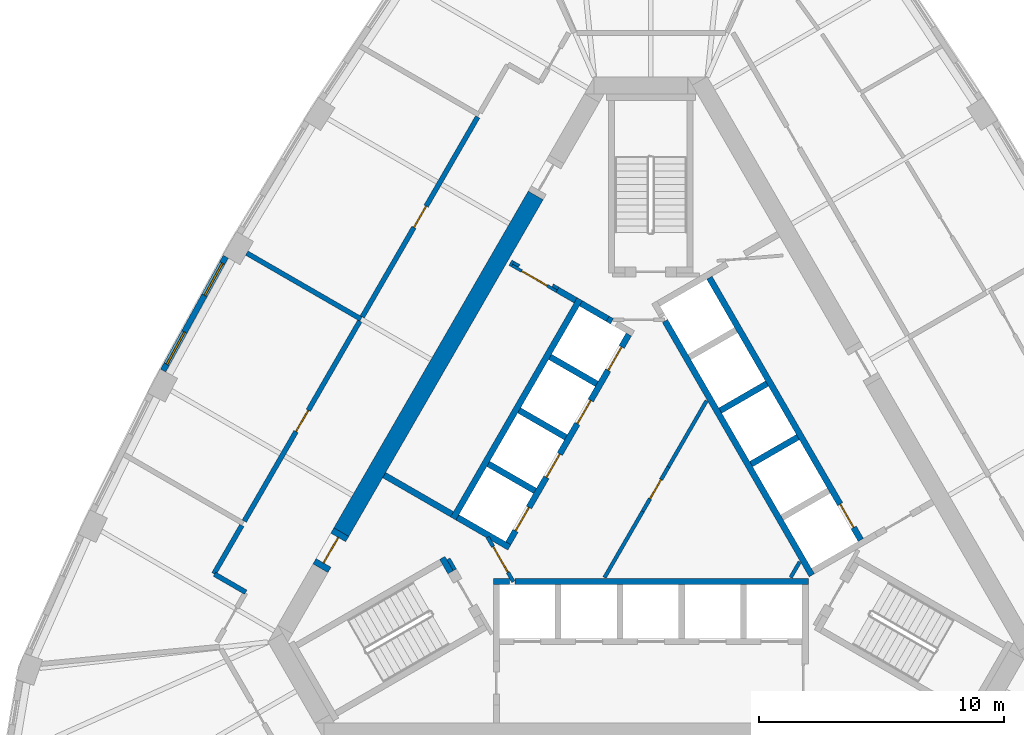
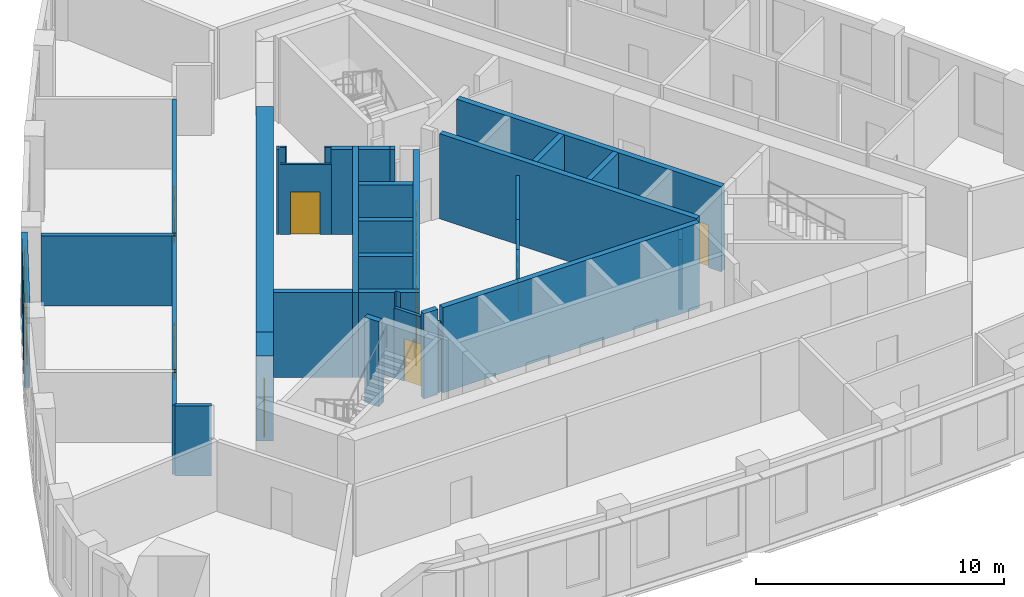
# One storey, part 4 of 10: 35 walls, 11 doors, 2 windows, 13 openings.
"""IFC4 building model written with IfcOpenShell, lengths in metres."""

from ifc_helpers import new_model, si_unit, direction, frame, frame_2d, origin, place, context, subcontext, project, spatial, polyline, rectangle, outline, extrude, material, layer, layer_set, type_object, element, fill, save


model = new_model("IFC4")

# Units and contexts
model_context = context("Model", 3, precision=1e-05, world=origin(), true_north=direction((0.0, 1.0)))
body_context = subcontext(model_context, "Body", "Model", "MODEL_VIEW")
ifc_project = project(units=[si_unit("LENGTHUNIT", "METRE"), si_unit("AREAUNIT", "SQUARE_METRE"), si_unit("VOLUMEUNIT", "CUBIC_METRE"), si_unit("PLANEANGLEUNIT", "RADIAN"), si_unit("MASSUNIT", "GRAM", prefix="KILO")], contexts=[model_context])

# Site, building, storey
site_placement = place(None, origin())
site = spatial("IfcSite", under=ifc_project, at=site_placement, CompositionType="ELEMENT")
building_placement = place(site_placement, origin())
building = spatial("IfcBuilding", under=site, at=building_placement, Name="Mestral Congress Tower", CompositionType="ELEMENT")
storey_placement = place(building_placement, frame((0.0, 0.0, 235.199951171875)))
storey = spatial("IfcBuildingStorey", under=building, at=storey_placement, Name="L55", CompositionType="ELEMENT", Elevation=235.199951171875)

# Walls
ifc_material_1 = material(Name="Fire-rated board partition")
ifc_layer_1 = layer(ifc_material_1, 0.14990234375)
ifc_layer_set_1 = layer_set([ifc_layer_1], Name="Fire-rated board partition")
wall_type_1 = type_object("IfcWallType", Name="Core partition 150", PredefinedType="PARTITIONING", material=ifc_layer_set_1)
wall_1_placement = place(storey_placement, frame((-8.251953125, -2.958251953125, 0.0), z_axis=(0.0, 0.0, 1.0), x_axis=(0.500174715838, -0.865924508047, 0.0)))
element("IfcWall", 1, at=wall_1_placement, inside=storey, type_object=wall_type_1, Name="L55 core wall", PredefinedType="PARTITIONING", context=body_context, shape_type="SweptSolid", body=[
    extrude(rectangle(XDim=0.513916015625, YDim=0.14990234375, at=frame_2d((0.2568359375, 0.0))), origin(), (0.0, 0.0, 1.0), 3.449951171875),
])
wall_2_placement = place(storey_placement, frame((5.704833984375, -3.718017578125, 0.0), z_axis=(0.0, 0.0, 1.0), x_axis=(0.499962090823, 0.866047289552, 0.0)))
element("IfcWall", 2, at=wall_2_placement, inside=storey, type_object=wall_type_1, Name="L55 core wall", PredefinedType="PARTITIONING", context=body_context, shape_type="SweptSolid", body=[
    extrude(rectangle(XDim=0.73486328125, YDim=0.14990234375, at=frame_2d((0.367431640625, 0.0))), origin(), (0.0, 0.0, 1.0), 3.449951171875),
])
wall_3_placement = place(storey_placement, frame((-1.886962890625, -3.71826171875, 0.0), z_axis=(0.0, 0.0, 1.0), x_axis=(0.500043732237, 0.866000153493, 0.0)))
element("IfcWall", 3, at=wall_3_placement, inside=storey, type_object=wall_type_1, Name="L55 core wall", PredefinedType="PARTITIONING", context=body_context, shape_type="SweptSolid", body=[
    extrude(rectangle(XDim=3.113525390625, YDim=0.14990234375, at=frame_2d((1.556640625, 0.0))), origin(), (0.0, 0.0, 1.0), 3.449951171875),
])
wall_4_placement = place(storey_placement, frame((0.719970703125, 0.796875, 0.0), z_axis=(0.0, 0.0, 1.0), x_axis=(0.499984921984, 0.866034108906, 0.0)))
element("IfcWall", 4, at=wall_4_placement, inside=storey, type_object=wall_type_1, Name="L55 core wall", PredefinedType="PARTITIONING", context=body_context, shape_type="SweptSolid", body=[
    extrude(rectangle(XDim=3.11328125, YDim=0.14990234375, at=frame_2d((1.556640625, 0.0))), origin(), (0.0, 0.0, 1.0), 3.449951171875),
])

# Wall, opening, door
wall_5_placement = place(storey_placement, frame((-0.330078125, -1.021728515625, 0.0), z_axis=(0.0, 0.0, 1.0), x_axis=(0.500027713859, 0.866009402589, 0.0)))
wall_5 = element("IfcWall", 5, at=wall_5_placement, inside=storey, type_object=wall_type_1, Name="L55 door wall", PredefinedType="PARTITIONING", context=body_context, shape_type="SweptSolid", body=[
    extrude(rectangle(XDim=2.10009765625, YDim=0.14990234375, at=frame_2d((1.050048828125, 0.0))), origin(), (0.0, 0.0, 1.0), 3.449951171875),
])
opening_1_placement = place(wall_5_placement, frame((0.60009765625, 0.0, 0.0)))
opening_1 = element("IfcOpeningElement", 6, at=opening_1_placement, cuts=wall_5, Name="Opening CD1-HUB0", PredefinedType="OPENING", context=body_context, shape_type="SweptSolid", body=[
    extrude(rectangle(XDim=0.89990234375, YDim=2.10009765625, at=frame_2d((0.449951171875, 1.050048828125))), frame((0.0, 0.0849609375, 0.0), z_axis=(0.0, -1.0, 0.0), x_axis=(1.0, 0.0, 0.0)), (0.0, 0.0, 1.0), 0.169921875),
])
ifc_material_2 = material(Name="Fire-rated steel door set", Category="steel")
door_type_1 = type_object("IfcDoorType", Name="Core door CD 900x2100", OperationType="SINGLE_SWING_LEFT", PredefinedType="DOOR", material=ifc_material_2)
door_1_placement = place(opening_1_placement, origin())
door_1 = element("IfcDoor", 7, at=door_1_placement, inside=storey, type_object=door_type_1, Name="Door CD1-HUB0", OperationType="SINGLE_SWING_LEFT", OverallHeight=2.10009765625, OverallWidth=0.89990234375, PredefinedType="DOOR", context=body_context, shape_type="SweptSolid", body=[
    extrude(rectangle(XDim=0.89990234375, YDim=2.10009765625, at=frame_2d((0.449951171875, 1.050048828125))), frame((0.0, 0.02490234375, 0.0), z_axis=(0.0, -1.0, 0.0), x_axis=(1.0, 0.0, 0.0)), (0.0, 0.0, 1.0), 0.050048828125),
])
fill(opening_1, door_1)

wall_6_placement = place(storey_placement, frame((-5.606201171875, -3.8896484375, 0.0), z_axis=(0.0, 0.0, 1.0), x_axis=(-0.500027713859, 0.866009402589, 0.0)))
wall_6 = element("IfcWall", 8, at=wall_6_placement, inside=storey, type_object=wall_type_1, Name="L55 door wall", PredefinedType="PARTITIONING", context=body_context, shape_type="SweptSolid", body=[
    extrude(rectangle(XDim=2.10009765625, YDim=0.14990234375, at=frame_2d((1.050048828125, 0.0))), origin(), (0.0, 0.0, 1.0), 3.449951171875),
])
opening_2_placement = place(wall_6_placement, frame((0.449951171875, 0.0, 0.0)))
opening_2 = element("IfcOpeningElement", 9, at=opening_2_placement, cuts=wall_6, Name="Opening CD3-FF", PredefinedType="OPENING", context=body_context, shape_type="SweptSolid", body=[
    extrude(rectangle(XDim=1.199951171875, YDim=2.10009765625, at=frame_2d((0.60009765625, 1.050048828125))), frame((0.0, 0.0849609375, 0.0), z_axis=(0.0, -1.0, 0.0), x_axis=(1.0, 0.0, 0.0)), (0.0, 0.0, 1.0), 0.169921875),
])
door_type_2 = type_object("IfcDoorType", Name="Core door CD 1200x2100", OperationType="SINGLE_SWING_LEFT", PredefinedType="DOOR", material=ifc_material_2)
door_2_placement = place(opening_2_placement, origin())
door_2 = element("IfcDoor", 10, at=door_2_placement, inside=storey, type_object=door_type_2, Name="Door CD3-FF", OperationType="SINGLE_SWING_LEFT", OverallHeight=2.10009765625, OverallWidth=1.199951171875, PredefinedType="DOOR", context=body_context, shape_type="SweptSolid", body=[
    extrude(rectangle(XDim=1.199951171875, YDim=2.10009765625, at=frame_2d((0.60009765625, 1.050048828125))), frame((0.0, 0.02490234375, 0.0), z_axis=(0.0, -1.0, 0.0), x_axis=(1.0, 0.0, 0.0)), (0.0, 0.0, 1.0), 0.050048828125),
])
fill(opening_2, door_2)

ifc_layer_2 = layer(ifc_material_1, 0.1201171875)
ifc_layer_set_2 = layer_set([ifc_layer_2], Name="Fire-rated board partition")
wall_type_2 = type_object("IfcWallType", Name="Core partition 150 door-wall 120", PredefinedType="PARTITIONING", material=ifc_layer_set_2)
wall_7_placement = place(storey_placement, frame((-5.65869140625, 9.01171875, 0.0), z_axis=(0.0, 0.0, 1.0), x_axis=(0.866009402589, -0.500027713859, 0.0)))
wall_7 = element("IfcWall", 11, at=wall_7_placement, inside=storey, type_object=wall_type_2, Name="L55 door wall", PredefinedType="PARTITIONING", context=body_context, shape_type="SweptSolid", body=[
    extrude(rectangle(XDim=2.10009765625, YDim=0.1201171875, at=frame_2d((1.050048828125, 0.0))), origin(), (0.0, 0.0, 1.0), 3.449951171875),
])
opening_3_placement = place(wall_7_placement, frame((0.449951171875, 0.0, 0.0)))
opening_3 = element("IfcOpeningElement", 12, at=opening_3_placement, cuts=wall_7, Name="Opening LB2-WL2", PredefinedType="OPENING", context=body_context, shape_type="SweptSolid", body=[
    extrude(rectangle(XDim=1.199951171875, YDim=2.10009765625, at=frame_2d((0.60009765625, 1.050048828125))), frame((0.0, 0.070068359375, 0.0), z_axis=(0.0, -1.0, 0.0), x_axis=(1.0, 0.0, 0.0)), (0.0, 0.0, 1.0), 0.14013671875),
])
door_type_3 = type_object("IfcDoorType", Name="Core door LB 1200x2100", OperationType="SINGLE_SWING_LEFT", PredefinedType="DOOR", material=ifc_material_2)
door_3_placement = place(opening_3_placement, origin())
door_3 = element("IfcDoor", 13, at=door_3_placement, inside=storey, type_object=door_type_3, Name="Door LB2-WL2", OperationType="SINGLE_SWING_LEFT", OverallHeight=2.10009765625, OverallWidth=1.199951171875, PredefinedType="DOOR", context=body_context, shape_type="SweptSolid", body=[
    extrude(rectangle(XDim=1.199951171875, YDim=2.10009765625, at=frame_2d((0.60009765625, 1.050048828125))), frame((0.0, 0.02490234375, 0.0), z_axis=(0.0, -1.0, 0.0), x_axis=(1.0, 0.0, 0.0)), (0.0, 0.0, 1.0), 0.050048828125),
])
fill(opening_3, door_3)

# Wall
ifc_material_3 = material(Name="Concrete C60/75", Category="concrete")
ifc_layer_3 = layer(ifc_material_3, 0.699951171875)
ifc_layer_set_3 = layer_set([ifc_layer_3], Name="Concrete C60/75")
wall_type_3 = type_object("IfcWallType", Name="Core wall RC 700", PredefinedType="SOLIDWALL", material=ifc_layer_set_3)
wall_8_placement = place(storey_placement, frame((-12.625, -1.866943359375, 0.0), z_axis=(0.0, 0.0, 1.0), x_axis=(0.500008520515, 0.866020484407, 0.0)))
element("IfcWall", 14, at=wall_8_placement, inside=storey, type_object=wall_type_3, Name="L55 core wall", PredefinedType="SOLIDWALL", context=body_context, shape_type="SweptSolid", body=[
    extrude(rectangle(XDim=15.858642578125, YDim=0.699951171875, at=frame_2d((7.92919921875, 0.0))), origin(), (0.0, 0.0, 1.0), 4.199951171875),
])

# Wall, opening, door
wall_9_placement = place(storey_placement, frame((-13.474853515625, -3.339111328125, 0.0), z_axis=(0.0, 0.0, 1.0), x_axis=(0.499954529098, 0.86605165483, 0.0)))
wall_9 = element("IfcWall", 15, at=wall_9_placement, inside=storey, type_object=wall_type_3, Name="L55 door wall", PredefinedType="SOLIDWALL", context=body_context, shape_type="SweptSolid", body=[
    extrude(rectangle(XDim=1.699951171875, YDim=0.699951171875, at=frame_2d((0.85009765625, 0.0))), origin(), (0.0, 0.0, 1.0), 4.199951171875),
])
opening_4_placement = place(wall_9_placement, frame((0.25, 0.0, 0.0)))
opening_4 = element("IfcOpeningElement", 16, at=opening_4_placement, cuts=wall_9, Name="Opening XD3", PredefinedType="OPENING", context=body_context, shape_type="SweptSolid", body=[
    extrude(rectangle(XDim=1.199951171875, YDim=2.10009765625, at=frame_2d((0.60009765625, 1.050048828125))), frame((0.0, 0.35986328125, 0.0), z_axis=(0.0, -1.0, 0.0), x_axis=(1.0, 0.0, 0.0)), (0.0, 0.0, 1.0), 0.719970703125),
])
door_type_4 = type_object("IfcDoorType", Name="Core door XD 1200x2100", OperationType="SINGLE_SWING_LEFT", PredefinedType="DOOR", material=ifc_material_2)
door_4_placement = place(opening_4_placement, origin())
door_4 = element("IfcDoor", 17, at=door_4_placement, inside=storey, type_object=door_type_4, Name="Door XD3", OperationType="SINGLE_SWING_LEFT", OverallHeight=2.10009765625, OverallWidth=1.199951171875, PredefinedType="DOOR", context=body_context, shape_type="SweptSolid", body=[
    extrude(rectangle(XDim=1.199951171875, YDim=2.10009765625, at=frame_2d((0.60009765625, 1.050048828125))), frame((0.0, 0.02490234375, 0.0), z_axis=(0.0, -1.0, 0.0), x_axis=(1.0, 0.0, 0.0)), (0.0, 0.0, 1.0), 0.050048828125),
])
fill(opening_4, door_4)

# Wall, openings, windows
ifc_material_4 = material(Name="Precast concrete C40/50 with limestone facing", Category="masonry")
ifc_layer_4 = layer(ifc_material_4, 0.239990234375)
ifc_layer_set_4 = layer_set([ifc_layer_4], Name="Precast concrete C40/50 with limestone facing")
wall_type_4 = type_object("IfcWallType", Name="Facade stone wall 240", PredefinedType="SOLIDWALL", material=ifc_layer_set_4)
wall_10_placement = place(storey_placement, frame((-17.338134765625, 9.367919921875, 0.0), z_axis=(0.0, 0.0, 1.0), x_axis=(-0.481925825015, -0.876212017256, 0.0)))
wall_10 = element("IfcWall", 18, at=wall_10_placement, inside=storey, type_object=wall_type_4, Name="Facade wall F2-03", PredefinedType="SOLIDWALL", context=body_context, shape_type="SweptSolid", body=[
    extrude(rectangle(XDim=5.298583984375, YDim=0.239990234375, at=frame_2d((2.6494140625, 0.0))), origin(), (0.0, 0.0, 1.0), 3.949951171875),
])
opening_5_placement = place(wall_10_placement, frame((0.294677734375, 0.0, 0.89990234375)))
opening_5 = element("IfcOpeningElement", 19, at=opening_5_placement, cuts=wall_10, Name="Opening W4", PredefinedType="OPENING", context=body_context, shape_type="SweptSolid", body=[
    extrude(rectangle(XDim=1.5, YDim=2.550048828125, at=frame_2d((0.75, 1.27490234375))), frame((0.0, 0.1298828125, 0.0), z_axis=(0.0, -1.0, 0.0), x_axis=(1.0, 0.0, 0.0)), (0.0, 0.0, 1.0), 0.260009765625),
])
opening_6_placement = place(wall_10_placement, frame((3.503662109375, 0.0, 0.89990234375)))
opening_6 = element("IfcOpeningElement", 20, at=opening_6_placement, cuts=wall_10, Name="Opening W4", PredefinedType="OPENING", context=body_context, shape_type="SweptSolid", body=[
    extrude(rectangle(XDim=1.5, YDim=2.550048828125, at=frame_2d((0.75, 1.27490234375))), frame((0.0, 0.1298828125, 0.0), z_axis=(0.0, -1.0, 0.0), x_axis=(1.0, 0.0, 0.0)), (0.0, 0.0, 1.0), 0.260009765625),
])
ifc_material_5 = material(Name="Clear low-emissivity double glazing", Category="glass")
window_type = type_object("IfcWindowType", Name="Facade punched window 1500 x 2550 sill 900", PartitioningType="SINGLE_PANEL", PredefinedType="WINDOW", material=ifc_material_5)
window_1_placement = place(opening_5_placement, origin())
window_1 = element("IfcWindow", 21, at=window_1_placement, inside=storey, type_object=window_type, Name="Window F2-03a", OverallHeight=2.550048828125, OverallWidth=1.5, PartitioningType="SINGLE_PANEL", PredefinedType="WINDOW", context=body_context, shape_type="SweptSolid", body=[
    extrude(rectangle(XDim=1.5, YDim=2.550048828125, at=frame_2d((0.75, 1.27490234375))), frame((0.0, 0.0400390625, 0.0), z_axis=(0.0, -1.0, 0.0), x_axis=(1.0, 0.0, 0.0)), (0.0, 0.0, 1.0), 0.06005859375),
])
fill(opening_5, window_1)
window_2_placement = place(opening_6_placement, origin())
window_2 = element("IfcWindow", 22, at=window_2_placement, inside=storey, type_object=window_type, Name="Window F2-03b", OverallHeight=2.550048828125, OverallWidth=1.5, PartitioningType="SINGLE_PANEL", PredefinedType="WINDOW", context=body_context, shape_type="SweptSolid", body=[
    extrude(rectangle(XDim=1.5, YDim=2.550048828125, at=frame_2d((0.75, 1.27490234375))), frame((0.0, 0.0400390625, 0.0), z_axis=(0.0, -1.0, 0.0), x_axis=(1.0, 0.0, 0.0)), (0.0, 0.0, 1.0), 0.06005859375),
])
fill(opening_6, window_2)

# Wall
ifc_material_6 = material(Name="Dense masonry wall, plastered", Category="masonry")
ifc_layer_5 = layer(ifc_material_6, 0.199951171875)
ifc_layer_set_5 = layer_set([ifc_layer_5], Name="Dense masonry wall, plastered")
wall_type_5 = type_object("IfcWallType", Name="Office tenancy wall 200", PredefinedType="PARTITIONING", material=ifc_layer_set_5)
wall_11_placement = place(storey_placement, frame((-11.8212890625, 6.824951171875, 0.0), z_axis=(0.0, 0.0, 1.0), x_axis=(-0.866011792348, 0.500023574959, 0.0)))
element("IfcWall", 23, at=wall_11_placement, inside=storey, type_object=wall_type_5, Name="Tenancy wall", PredefinedType="PARTITIONING", context=body_context, shape_type="SweptSolid", body=[
    extrude(rectangle(XDim=5.380615234375, YDim=0.199951171875, at=frame_2d((2.6904296875, 0.0))), origin(), (0.0, 0.0, 1.0), 3.449951171875),
])

# Wall, opening, door
wall_12_placement = place(storey_placement, frame((-7.061279296875, 15.0693359375, 0.0), z_axis=(0.0, 0.0, 1.0), x_axis=(-0.500008127286, -0.866020711443, 0.0)))
wall_12 = element("IfcWall", 24, at=wall_12_placement, inside=storey, type_object=wall_type_5, Name="Tenancy wall", PredefinedType="PARTITIONING", context=body_context, shape_type="SweptSolid", body=[
    extrude(rectangle(XDim=9.419677734375, YDim=0.199951171875, at=frame_2d((4.7099609375, 0.0))), origin(), (0.0, 0.0, 1.0), 3.449951171875),
])
opening_7_placement = place(wall_12_placement, frame((4.199951171875, 0.0, 0.0)))
opening_7 = element("IfcOpeningElement", 25, at=opening_7_placement, cuts=wall_12, Name="Opening O08-002", PredefinedType="OPENING", context=body_context, shape_type="SweptSolid", body=[
    extrude(rectangle(XDim=1.0, YDim=2.10009765625, at=frame_2d((0.5, 1.050048828125))), frame((0.0, 0.10986328125, 0.0), z_axis=(0.0, -1.0, 0.0), x_axis=(1.0, 0.0, 0.0)), (0.0, 0.0, 1.0), 0.219970703125),
])
ifc_material_7 = material(Name="Fire-rated timber door set", Category="wood")
door_type_5 = type_object("IfcDoorType", Name="Office tenancy entrance door 1000x2100", OperationType="SINGLE_SWING_LEFT", PredefinedType="DOOR", material=ifc_material_7)
door_5_placement = place(opening_7_placement, origin())
door_5 = element("IfcDoor", 26, at=door_5_placement, inside=storey, type_object=door_type_5, Name="Door O08-002", OperationType="SINGLE_SWING_LEFT", OverallHeight=2.10009765625, OverallWidth=1.0, PredefinedType="DOOR", context=body_context, shape_type="SweptSolid", body=[
    extrude(rectangle(XDim=1.0, YDim=2.10009765625, at=frame_2d((0.5, 1.050048828125))), frame((0.0, 0.02490234375, 0.0), z_axis=(0.0, -1.0, 0.0), x_axis=(1.0, 0.0, 0.0)), (0.0, 0.0, 1.0), 0.050048828125),
])
fill(opening_7, door_5)

wall_13_placement = place(storey_placement, frame((-11.87109375, 6.73828125, 0.0), z_axis=(0.0, 0.0, 1.0), x_axis=(-0.500019350398, -0.866014231539, 0.0)))
wall_13 = element("IfcWall", 27, at=wall_13_placement, inside=storey, type_object=wall_type_5, Name="Tenancy wall", PredefinedType="PARTITIONING", context=body_context, shape_type="SweptSolid", body=[
    extrude(rectangle(XDim=9.419677734375, YDim=0.199951171875, at=frame_2d((4.7099609375, 0.0))), origin(), (0.0, 0.0, 1.0), 3.449951171875),
])
opening_8_placement = place(wall_13_placement, frame((4.199951171875, 0.0, 0.0)))
opening_8 = element("IfcOpeningElement", 28, at=opening_8_placement, cuts=wall_13, Name="Opening O08-003", PredefinedType="OPENING", context=body_context, shape_type="SweptSolid", body=[
    extrude(rectangle(XDim=1.0, YDim=2.10009765625, at=frame_2d((0.5, 1.050048828125))), frame((0.0, 0.10986328125, 0.0), z_axis=(0.0, -1.0, 0.0), x_axis=(1.0, 0.0, 0.0)), (0.0, 0.0, 1.0), 0.219970703125),
])
door_6_placement = place(opening_8_placement, origin())
door_6 = element("IfcDoor", 29, at=door_6_placement, inside=storey, type_object=door_type_5, Name="Door O08-003", OperationType="SINGLE_SWING_LEFT", OverallHeight=2.10009765625, OverallWidth=1.0, PredefinedType="DOOR", context=body_context, shape_type="SweptSolid", body=[
    extrude(rectangle(XDim=1.0, YDim=2.10009765625, at=frame_2d((0.5, 1.050048828125))), frame((0.0, 0.02490234375, 0.0), z_axis=(0.0, -1.0, 0.0), x_axis=(1.0, 0.0, 0.0)), (0.0, 0.0, 1.0), 0.050048828125),
])
fill(opening_8, door_6)

# Walls
wall_14_placement = place(storey_placement, frame((-16.68115234375, -1.592529296875, 0.0), z_axis=(0.0, 0.0, 1.0), x_axis=(-0.499985038317, -0.866034041744, 0.0)))
element("IfcWall", 30, at=wall_14_placement, inside=storey, type_object=wall_type_5, Name="Tenancy wall", PredefinedType="PARTITIONING", context=body_context, shape_type="SweptSolid", body=[
    extrude(rectangle(XDim=2.2802734375, YDim=0.199951171875, at=frame_2d((1.14013671875, 0.0))), origin(), (0.0, 0.0, 1.0), 3.449951171875),
])
wall_15_placement = place(storey_placement, frame((-17.79541015625, -3.582275390625, 0.0), z_axis=(0.0, 0.0, 1.0), x_axis=(0.866016893711, -0.50001473959, 0.0)))
element("IfcWall", 31, at=wall_15_placement, inside=storey, type_object=wall_type_5, Name="Tenancy wall", PredefinedType="PARTITIONING", context=body_context, shape_type="SweptSolid", body=[
    extrude(rectangle(XDim=1.47021484375, YDim=0.199951171875, at=frame_2d((0.735107421875, 0.0))), origin(), (0.0, 0.0, 1.0), 3.449951171875),
])
ifc_layer_6 = layer(ifc_material_3, 0.25)
ifc_layer_set_6 = layer_set([ifc_layer_6], Name="Concrete C60/75")
wall_type_6 = type_object("IfcWallType", Name="Shaft wall RC 250", PredefinedType="SOLIDWALL", material=ifc_layer_set_6)
wall_16_placement = place(storey_placement, frame((-5.544921875, -3.875, 0.0), z_axis=(0.0, 0.0, 1.0), x_axis=(1.0, 0.0, 0.0)))
element("IfcWall", 32, at=wall_16_placement, inside=storey, type_object=wall_type_6, Name="L55 core wall", PredefinedType="SOLIDWALL", context=body_context, shape_type="SweptSolid", body=[
    extrude(rectangle(XDim=11.969970703125, YDim=0.25, at=frame_2d((5.98486328125, 0.0))), origin(), (0.0, 0.0, 1.0), 4.199951171875),
])
wall_17_placement = place(storey_placement, frame((-6.425048828125, -3.875, 0.0), z_axis=(0.0, 0.0, 1.0), x_axis=(1.0, 0.0, 0.0)))
element("IfcWall", 33, at=wall_17_placement, inside=storey, type_object=wall_type_6, Name="L55 core wall", PredefinedType="SOLIDWALL", context=body_context, shape_type="SweptSolid", body=[
    extrude(rectangle(XDim=0.657958984375, YDim=0.25, at=frame_2d((0.3291015625, 0.0))), origin(), (0.0, 0.0, 1.0), 4.199951171875),
])
wall_18_placement = place(storey_placement, frame((6.568359375, -3.626708984375, 0.0), z_axis=(0.0, 0.0, 1.0), x_axis=(-0.499999455981, 0.866025717874, 0.0)))
element("IfcWall", 34, at=wall_18_placement, inside=storey, type_object=wall_type_6, Name="L55 core wall", PredefinedType="SOLIDWALL", context=body_context, shape_type="SweptSolid", body=[
    extrude(rectangle(XDim=11.97802734375, YDim=0.25, at=frame_2d((5.989013671875, 0.0))), origin(), (0.0, 0.0, 1.0), 4.199951171875),
])
for number, where, z_axis, x_axis, name in (
    (35, (2.833984375, 3.091064453125, 0.0), (0.0, 0.0, 1.0), (0.866008176907, 0.50002983664, 0.0), "L55 core wall"),
    (36, (4.093994140625, 0.90869140625, 0.0), (0.0, 0.0, 1.0), (0.866008176907, 0.50002983664, 0.0), "L55 core wall"),
):
    element("IfcWall", number, at=place(storey_placement, frame(where, z_axis=z_axis, x_axis=x_axis)), inside=storey, type_object=wall_type_6, Name=name, PredefinedType="SOLIDWALL", context=body_context, shape_type="SweptSolid", body=[
        extrude(rectangle(XDim=2.199951171875, YDim=0.25, at=frame_2d((1.10009765625, 0.0))), origin(), (0.0, 0.0, 1.0), 4.199951171875),
    ])
wall_19_placement = place(storey_placement, frame((-8.06005859375, -1.310546875, 0.0), z_axis=(0.0, 0.0, 1.0), x_axis=(0.50000273126, 0.866023826885, 0.0)))
element("IfcWall", 37, at=wall_19_placement, inside=storey, type_object=wall_type_6, Name="L55 core wall", PredefinedType="SOLIDWALL", context=body_context, shape_type="SweptSolid", body=[
    extrude(rectangle(XDim=10.330078125, YDim=0.25, at=frame_2d((5.1650390625, 0.0))), origin(), (0.0, 0.0, 1.0), 4.199951171875),
])
wall_20_placement = place(storey_placement, frame((-1.75830078125, 6.834716796875, 0.0), z_axis=(0.0, 0.0, 1.0), x_axis=(0.865982457891, -0.500074377092, 0.0)))
element("IfcWall", 38, at=wall_20_placement, inside=storey, type_object=wall_type_6, Name="L55 core wall", PredefinedType="SOLIDWALL", context=body_context, shape_type="SweptSolid", body=[
    extrude(rectangle(XDim=0.2001953125, YDim=0.25, at=frame_2d((0.10009765625, 0.0))), origin(), (0.0, 0.0, 1.0), 4.199951171875),
])
wall_21_placement = place(storey_placement, frame((-1.760009765625, 6.835693359375, 0.0), z_axis=(0.0, 0.0, 1.0), x_axis=(-0.865952863304, 0.500125622755, 0.0)))
element("IfcWall", 39, at=wall_21_placement, inside=storey, type_object=wall_type_6, Name="L55 core wall", PredefinedType="SOLIDWALL", context=body_context, shape_type="SweptSolid", body=[
    extrude(rectangle(XDim=1.258056640625, YDim=0.25, at=frame_2d((0.62890625, 0.0))), origin(), (0.0, 0.0, 1.0), 4.199951171875),
])
for number, where, z_axis, x_axis, name in (
    (40, (-2.2041015625, 4.182373046875, 0.0), (0.0, 0.0, 1.0), (-0.866008176907, 0.50002983664, 0.0), "L55 core wall"),
    (41, (-5.369384765625, 3.10009765625, 0.0), (0.0, 0.0, 1.0), (0.866008176907, -0.50002983664, 0.0), "L55 core wall"),
    (42, (-4.72412109375, -0.182373046875, 0.0), (0.0, 0.0, 1.0), (-0.866008176907, 0.50002983664, 0.0), "L55 core wall"),
):
    element("IfcWall", number, at=place(storey_placement, frame(where, z_axis=z_axis, x_axis=x_axis)), inside=storey, type_object=wall_type_6, Name=name, PredefinedType="SOLIDWALL", context=body_context, shape_type="SweptSolid", body=[
        extrude(rectangle(XDim=2.199951171875, YDim=0.25, at=frame_2d((1.10009765625, 0.0))), origin(), (0.0, 0.0, 1.0), 4.199951171875),
    ])
placement = place(storey_placement, origin())
element("IfcWall", 43, at=placement, inside=storey, type_object=wall_type_6, Name="L55 core wall", PredefinedType="SOLIDWALL", context=body_context, shape_type="SweptSolid", body=[
    extrude(outline(polyline([(-5.921630859375, -2.256591796875), (-5.921630859375, -2.256591796875), (-5.705078125, -2.381591796875), (-5.830078125, -2.597900390625), (-6.48291015625, -2.22119140625), (-6.59130859375, -2.033447265625), (-6.59130859375, -2.033447265625), (-6.69970703125, -2.095947265625), (-7.951904296875, -1.373046875), (-7.826904296875, -1.156494140625), (-5.921630859375, -2.256591796875)])), origin(), (0.0, 0.0, 1.0), 4.199951171875),
])
wall_23_placement = place(storey_placement, frame((-8.10595703125, -1.139892578125, 0.0), z_axis=(0.0, 0.0, 1.0), x_axis=(-0.866008981251, 0.500028443584, 0.0)))
element("IfcWall", 44, at=wall_23_placement, inside=storey, type_object=wall_type_6, Name="L55 core wall", PredefinedType="SOLIDWALL", context=body_context, shape_type="SweptSolid", body=[
    extrude(rectangle(XDim=3.199951171875, YDim=0.25, at=frame_2d((1.60009765625, 0.0))), origin(), (0.0, 0.0, 1.0), 4.199951171875),
])
wall_24_placement = place(storey_placement, frame((-5.724609375, 9.124755859375, 0.0), z_axis=(0.0, 0.0, 1.0), x_axis=(0.866185586049, -0.49972245349, 0.0)))
element("IfcWall", 45, at=wall_24_placement, inside=storey, type_object=wall_type_6, Name="L55 core wall", PredefinedType="SOLIDWALL", context=body_context, shape_type="SweptSolid", body=[
    extrude(rectangle(XDim=0.10986328125, YDim=0.25, at=frame_2d((0.054931640625, 0.0))), origin(), (0.0, 0.0, 1.0), 4.199951171875),
])
wall_25_placement = place(storey_placement, frame((-3.06591796875, 7.58984375, 0.0), z_axis=(0.0, 0.0, 1.0), x_axis=(-0.866081358704, 0.49990307071, 0.0)))
element("IfcWall", 46, at=wall_25_placement, inside=storey, type_object=wall_type_6, Name="L55 core wall", PredefinedType="SOLIDWALL", context=body_context, shape_type="SweptSolid", body=[
    extrude(rectangle(XDim=0.858154296875, YDim=0.25, at=frame_2d((0.42919921875, 0.0))), origin(), (0.0, 0.0, 1.0), 4.199951171875),
])
element("IfcWall", 47, at=placement, inside=storey, type_object=wall_type_6, Name="L55 core wall", PredefinedType="SOLIDWALL", context=body_context, shape_type="SweptSolid", body=[
    extrude(outline(polyline([(-3.748291015625, 8.1279296875), (-3.813232421875, 8.015380859375), (-4.026611328125, 8.138671875), (-4.0166015625, 8.156005859375), (-4.007568359375, 8.17333984375), (-4.000244140625, 8.191650390625), (-3.994873046875, 8.21044921875), (-3.991455078125, 8.229736328125), (-3.98974609375, 8.24951171875), (-3.989990234375, 8.267578125), (-3.748291015625, 8.1279296875)])), origin(), (0.0, 0.0, 1.0), 4.199951171875),
])
element("IfcWall", 48, at=placement, inside=storey, type_object=wall_type_6, Name="L55 core wall", PredefinedType="SOLIDWALL", context=body_context, shape_type="SweptSolid", body=[
    extrude(outline(polyline([(-5.688720703125, 8.959716796875), (-5.690185546875, 8.960693359375), (-5.565185546875, 9.177001953125), (-5.318603515625, 9.03466796875), (-5.334716796875, 9.02587890625), (-5.3505859375, 9.0146484375), (-5.36572265625, 9.001953125), (-5.37939453125, 8.98779296875), (-5.3916015625, 8.972412109375), (-5.402099609375, 8.955810546875), (-5.412109375, 8.938720703125), (-5.628662109375, 9.063720703125), (-5.628662109375, 9.063720703125), (-5.688720703125, 8.959716796875)])), origin(), (0.0, 0.0, 1.0), 4.199951171875),
])

# Wall, opening, door
wall_28_placement = place(storey_placement, frame((8.565185546875, -2.185302734375, 0.0), z_axis=(0.0, 0.0, 1.0), x_axis=(-0.499997954832, 0.866026584559, 0.0)))
wall_28 = element("IfcWall", 49, at=wall_28_placement, inside=storey, type_object=wall_type_6, Name="L55 door wall", PredefinedType="SOLIDWALL", context=body_context, shape_type="SweptSolid", body=[
    extrude(rectangle(XDim=12.35009765625, YDim=0.25, at=frame_2d((6.175048828125, 0.0))), origin(), (0.0, 0.0, 1.0), 4.199951171875),
])
opening_9_placement = place(wall_28_placement, frame((0.5849609375, 0.0, 0.0)))
opening_9 = element("IfcOpeningElement", 50, at=opening_9_placement, cuts=wall_28, Name="Opening LD-NEB1", PredefinedType="OPENING", context=body_context, shape_type="SweptSolid", body=[
    extrude(rectangle(XDim=1.10009765625, YDim=2.10009765625, at=frame_2d((0.550048828125, 1.050048828125))), frame((0.0, 0.135009765625, 0.0), z_axis=(0.0, -1.0, 0.0), x_axis=(1.0, 0.0, 0.0)), (0.0, 0.0, 1.0), 0.27001953125),
])
door_type_6 = type_object("IfcDoorType", Name="Core door LD 1100x2100", OperationType="DOUBLE_DOOR_SLIDING", PredefinedType="DOOR", material=ifc_material_2)
door_7_placement = place(opening_9_placement, origin())
door_7 = element("IfcDoor", 51, at=door_7_placement, inside=storey, type_object=door_type_6, Name="Door LD-NEB1", OperationType="DOUBLE_DOOR_SLIDING", OverallHeight=2.10009765625, OverallWidth=1.10009765625, PredefinedType="DOOR", context=body_context, shape_type="SweptSolid", body=[
    extrude(rectangle(XDim=1.10009765625, YDim=2.10009765625, at=frame_2d((0.550048828125, 1.050048828125))), frame((0.0, 0.02490234375, 0.0), z_axis=(0.0, -1.0, 0.0), x_axis=(1.0, 0.0, 0.0)), (0.0, 0.0, 1.0), 0.050048828125),
])
fill(opening_9, door_7)

# Wall, openings, doors
wall_29_placement = place(storey_placement, frame((-0.898193359375, 6.194091796875, 0.0), z_axis=(0.0, 0.0, 1.0), x_axis=(-0.499996202215, -0.866027596426, 0.0)))
wall_29 = element("IfcWall", 52, at=wall_29_placement, inside=storey, type_object=wall_type_6, Name="L55 door wall", PredefinedType="SOLIDWALL", context=body_context, shape_type="SweptSolid", body=[
    extrude(rectangle(XDim=9.830078125, YDim=0.25, at=frame_2d((4.9150390625, 0.0))), origin(), (0.0, 0.0, 1.0), 4.199951171875),
])
opening_10_placement = place(wall_29_placement, frame((0.5849609375, 0.0, 0.0)))
opening_10 = element("IfcOpeningElement", 53, at=opening_10_placement, cuts=wall_29, Name="Opening LD-NWB1", PredefinedType="OPENING", context=body_context, shape_type="SweptSolid", body=[
    extrude(rectangle(XDim=1.10009765625, YDim=2.10009765625, at=frame_2d((0.550048828125, 1.050048828125))), frame((0.0, 0.135009765625, 0.0), z_axis=(0.0, -1.0, 0.0), x_axis=(1.0, 0.0, 0.0)), (0.0, 0.0, 1.0), 0.27001953125),
])
opening_11_placement = place(wall_29_placement, frame((3.10498046875, 0.0, 0.0)))
opening_11 = element("IfcOpeningElement", 54, at=opening_11_placement, cuts=wall_29, Name="Opening LD-NWB2", PredefinedType="OPENING", context=body_context, shape_type="SweptSolid", body=[
    extrude(rectangle(XDim=1.10009765625, YDim=2.10009765625, at=frame_2d((0.550048828125, 1.050048828125))), frame((0.0, 0.135009765625, 0.0), z_axis=(0.0, -1.0, 0.0), x_axis=(1.0, 0.0, 0.0)), (0.0, 0.0, 1.0), 0.27001953125),
])
opening_12_placement = place(wall_29_placement, frame((5.625, 0.0, 0.0)))
opening_12 = element("IfcOpeningElement", 55, at=opening_12_placement, cuts=wall_29, Name="Opening LD-NWB3", PredefinedType="OPENING", context=body_context, shape_type="SweptSolid", body=[
    extrude(rectangle(XDim=1.10009765625, YDim=2.10009765625, at=frame_2d((0.550048828125, 1.050048828125))), frame((0.0, 0.135009765625, 0.0), z_axis=(0.0, -1.0, 0.0), x_axis=(1.0, 0.0, 0.0)), (0.0, 0.0, 1.0), 0.27001953125),
])
opening_13_placement = place(wall_29_placement, frame((8.14501953125, 0.0, 0.0)))
opening_13 = element("IfcOpeningElement", 56, at=opening_13_placement, cuts=wall_29, Name="Opening LD-NWB4", PredefinedType="OPENING", context=body_context, shape_type="SweptSolid", body=[
    extrude(rectangle(XDim=1.10009765625, YDim=2.10009765625, at=frame_2d((0.550048828125, 1.050048828125))), frame((0.0, 0.135009765625, 0.0), z_axis=(0.0, -1.0, 0.0), x_axis=(1.0, 0.0, 0.0)), (0.0, 0.0, 1.0), 0.27001953125),
])
door_8_placement = place(opening_10_placement, origin())
door_8 = element("IfcDoor", 57, at=door_8_placement, inside=storey, type_object=door_type_6, Name="Door LD-NWB1", OperationType="DOUBLE_DOOR_SLIDING", OverallHeight=2.10009765625, OverallWidth=1.10009765625, PredefinedType="DOOR", context=body_context, shape_type="SweptSolid", body=[
    extrude(rectangle(XDim=1.10009765625, YDim=2.10009765625, at=frame_2d((0.550048828125, 1.050048828125))), frame((0.0, 0.02490234375, 0.0), z_axis=(0.0, -1.0, 0.0), x_axis=(1.0, 0.0, 0.0)), (0.0, 0.0, 1.0), 0.050048828125),
])
fill(opening_10, door_8)
door_9_placement = place(opening_11_placement, origin())
door_9 = element("IfcDoor", 58, at=door_9_placement, inside=storey, type_object=door_type_6, Name="Door LD-NWB2", OperationType="DOUBLE_DOOR_SLIDING", OverallHeight=2.10009765625, OverallWidth=1.10009765625, PredefinedType="DOOR", context=body_context, shape_type="SweptSolid", body=[
    extrude(rectangle(XDim=1.10009765625, YDim=2.10009765625, at=frame_2d((0.550048828125, 1.050048828125))), frame((0.0, 0.02490234375, 0.0), z_axis=(0.0, -1.0, 0.0), x_axis=(1.0, 0.0, 0.0)), (0.0, 0.0, 1.0), 0.050048828125),
])
fill(opening_11, door_9)
door_10_placement = place(opening_12_placement, origin())
door_10 = element("IfcDoor", 59, at=door_10_placement, inside=storey, type_object=door_type_6, Name="Door LD-NWB3", OperationType="DOUBLE_DOOR_SLIDING", OverallHeight=2.10009765625, OverallWidth=1.10009765625, PredefinedType="DOOR", context=body_context, shape_type="SweptSolid", body=[
    extrude(rectangle(XDim=1.10009765625, YDim=2.10009765625, at=frame_2d((0.550048828125, 1.050048828125))), frame((0.0, 0.02490234375, 0.0), z_axis=(0.0, -1.0, 0.0), x_axis=(1.0, 0.0, 0.0)), (0.0, 0.0, 1.0), 0.050048828125),
])
fill(opening_12, door_10)
door_11_placement = place(opening_13_placement, origin())
door_11 = element("IfcDoor", 60, at=door_11_placement, inside=storey, type_object=door_type_6, Name="Door LD-NWB4", OperationType="DOUBLE_DOOR_SLIDING", OverallHeight=2.10009765625, OverallWidth=1.10009765625, PredefinedType="DOOR", context=body_context, shape_type="SweptSolid", body=[
    extrude(rectangle(XDim=1.10009765625, YDim=2.10009765625, at=frame_2d((0.550048828125, 1.050048828125))), frame((0.0, 0.02490234375, 0.0), z_axis=(0.0, -1.0, 0.0), x_axis=(1.0, 0.0, 0.0)), (0.0, 0.0, 1.0), 0.050048828125),
])
fill(opening_13, door_11)

# Wall
ifc_layer_7 = layer(ifc_material_3, 0.25)
ifc_layer_set_7 = layer_set([ifc_layer_7], Name="Concrete C60/75")
wall_type_7 = type_object("IfcWallType", Name="Stair wall RC 250", PredefinedType="SOLIDWALL", material=ifc_layer_set_7)
wall_30_placement = place(storey_placement, frame((-8.167724609375, -3.503173828125, 0.0), z_axis=(0.0, 0.0, 1.0), x_axis=(-0.499952099219, 0.866053057547, 0.0)))
element("IfcWall", 61, at=wall_30_placement, inside=storey, type_object=wall_type_7, Name="L55 core wall", PredefinedType="SOLIDWALL", context=body_context, shape_type="SweptSolid", body=[
    extrude(rectangle(XDim=0.6748046875, YDim=0.25, at=frame_2d((0.33740234375, 0.0))), origin(), (0.0, 0.0, 1.0), 4.199951171875),
])

save(model, "model.ifc")
